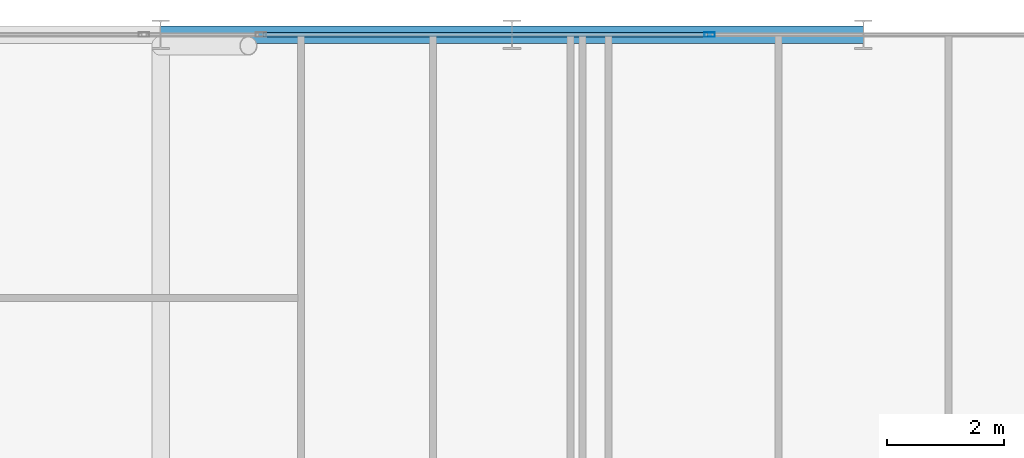
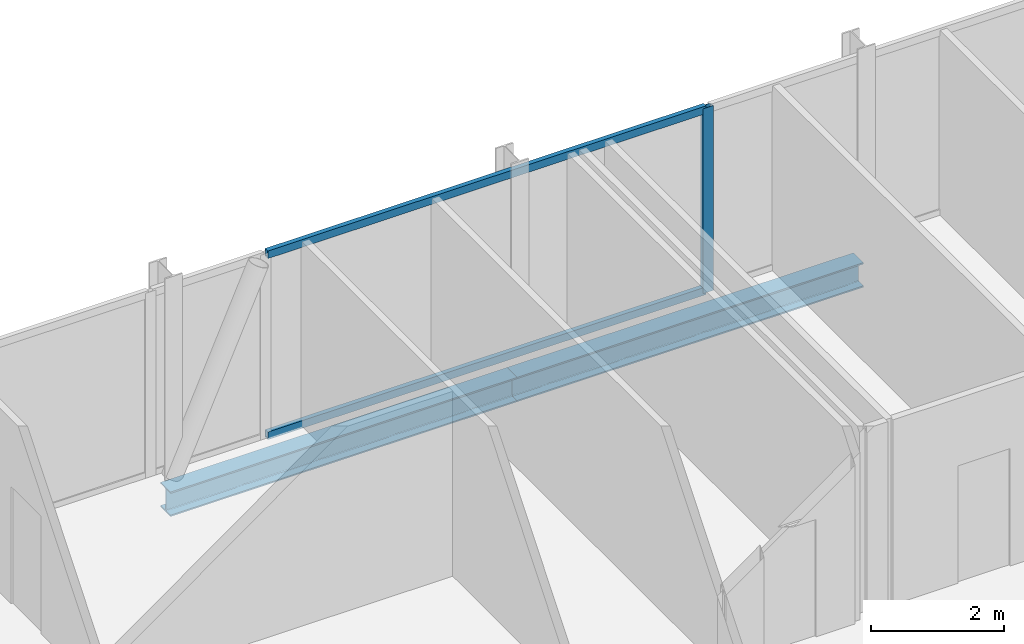
# One storey, part 20 of 31: 3 members, 2 beams, 1 element without a shape of its own.
"""IFC4 building model written with IfcOpenShell, lengths in metres."""

from ifc_helpers import new_model, si_unit, direction, frame, origin, origin_2d, place, context, subcontext, project, spatial, hollow_rectangle, i_section, extrude, material, layer, layer_set, material_profile, profile_set, type_object, element, aggregate, save


model = new_model("IFC4")

# Units and contexts
model_context = context("Model", 3, precision=1e-05, world=origin(), true_north=direction((0.0, 1.0)))
body_context = subcontext(model_context, "Body", "Model", "MODEL_VIEW")
ifc_project = project(units=[si_unit("LENGTHUNIT", "METRE"), si_unit("AREAUNIT", "SQUARE_METRE"), si_unit("VOLUMEUNIT", "CUBIC_METRE"), si_unit("PLANEANGLEUNIT", "RADIAN"), si_unit("MASSUNIT", "GRAM", prefix="KILO")], contexts=[model_context])

# Site, building, storey
site_placement = place(None, origin())
site = spatial("IfcSite", under=ifc_project, at=site_placement, CompositionType="ELEMENT")
building_placement = place(site_placement, origin())
building = spatial("IfcBuilding", under=site, at=building_placement, Name="Keshet Zoharim Tower", CompositionType="ELEMENT")
storey_placement = place(building_placement, frame((0.0, 0.0, 129.800048828125)))
storey = spatial("IfcBuildingStorey", under=building, at=storey_placement, Name="L31", CompositionType="ELEMENT", Elevation=129.800048828125)

# Beams
ifc_material_1 = material(Name="Steel S355", Category="steel")
ifc_material_profile_1 = material_profile(ifc_material_1, i_section(OverallWidth=0.300048828125, OverallDepth=0.449951171875, WebThickness=0.013916015625, FlangeThickness=0.02587890625, FilletRadius=0.027099609375, at=origin_2d()), Name="HEB450")
ifc_profile_set_1 = profile_set([ifc_material_profile_1], Name="Steel S355")
beam_type = type_object("IfcBeamType", Name="BM-WEB-HB450", PredefinedType="BEAM", material=ifc_profile_set_1)
for number, where, z_axis, x_axis, name in (
    (1, (33.0, 53.89990234375, -0.5400390625), (1.0, 0.0, 0.0), (0.0, 1.0, 0.0), "L31 Primary Girder X-022"),
    (2, (39.0, 53.89990234375, -0.5400390625), (1.0, 0.0, 0.0), (0.0, 1.0, 0.0), "L31 Primary Girder X-023"),
):
    element("IfcBeam", number, at=place(storey_placement, frame(where, z_axis=z_axis, x_axis=x_axis)), inside=storey, type_object=beam_type, Name=name, PredefinedType="BEAM", context=body_context, shape_type="SweptSolid", body=[
        extrude(i_section(OverallWidth=0.300048828125, OverallDepth=0.449951171875, WebThickness=0.013916015625, FlangeThickness=0.02587890625, FilletRadius=0.027099609375, at=origin_2d()), origin(), (0.0, 0.0, 1.0), 6.0),
    ])

# Curtain wall, members
ifc_material_2 = material(Name="Aluminium 6063-T6", Category="aluminium")
ifc_layer = layer(ifc_material_2, 0.159912109375)
ifc_layer_set = layer_set([ifc_layer], Name="Aluminium 6063-T6")
curtain_wall_type = type_object("IfcCurtainWallType", Name="CW-SYS-03", PredefinedType="NOTDEFINED", material=ifc_layer_set)
curtain_wall_placement = place(storey_placement, origin())
curtain_wall = element("IfcCurtainWall", 3, at=curtain_wall_placement, inside=storey, type_object=curtain_wall_type, Name="L31 Unitised Curtain Wall 13 Part 5", PredefinedType="NOTDEFINED")
ifc_material_profile_2 = material_profile(ifc_material_2, hollow_rectangle(XDim=0.080078125, YDim=0.179931640625, WallThickness=0.00439453125, at=origin_2d()), Name="MUL-80x180")
ifc_profile_set_2 = profile_set([ifc_material_profile_2], Name="Aluminium 6063-T6")
member_type_1 = type_object("IfcMemberType", Name="CWM-M18", PredefinedType="MULLION", material=ifc_profile_set_2)
member_1_placement = place(storey_placement, frame((42.3740234375, 53.89990234375, 0.0), z_axis=(0.0, 0.0, 1.0), x_axis=(0.0, 1.0, 0.0)))
member_1 = element("IfcMember", 4, at=member_1_placement, type_object=member_type_1, Name="CW-03 mullion 2", PredefinedType="MULLION", context=body_context, shape_type="SweptSolid", body=[
    extrude(hollow_rectangle(XDim=0.080078125, YDim=0.179931640625, WallThickness=0.00439453125, at=origin_2d()), origin(), (0.0, 0.0, 1.0), 3.385009765625),
])
ifc_material_profile_3 = material_profile(ifc_material_2, hollow_rectangle(XDim=0.080078125, YDim=0.139892578125, WallThickness=0.00390625, at=origin_2d()), Name="TRN-80x140")
ifc_profile_set_3 = profile_set([ifc_material_profile_3], Name="Aluminium 6063-T6")
member_type_2 = type_object("IfcMemberType", Name="CWT-T14", PredefinedType="USERDEFINED", material=ifc_profile_set_3)
member_2_placement = place(storey_placement, frame((34.748046875, 53.89990234375, 0.034912109375), z_axis=(1.0, 0.0, 0.0), x_axis=(0.0, 1.0, 0.0)))
member_2 = element("IfcMember", 5, at=member_2_placement, type_object=member_type_2, Name="CW-03 transom 1.1", ObjectType="TRANSOM", PredefinedType="USERDEFINED", context=body_context, shape_type="SweptSolid", body=[
    extrude(hollow_rectangle(XDim=0.080078125, YDim=0.139892578125, WallThickness=0.00390625, at=origin_2d()), origin(), (0.0, 0.0, 1.0), 7.591064453125),
])
member_3_placement = place(storey_placement, frame((34.748046875, 53.89990234375, 3.349853515625), z_axis=(1.0, 0.0, 0.0), x_axis=(0.0, 1.0, 0.0)))
member_3 = element("IfcMember", 6, at=member_3_placement, type_object=member_type_2, Name="CW-03 transom 1.2", ObjectType="TRANSOM", PredefinedType="USERDEFINED", context=body_context, shape_type="SweptSolid", body=[
    extrude(hollow_rectangle(XDim=0.080078125, YDim=0.139892578125, WallThickness=0.00390625, at=origin_2d()), origin(), (0.0, 0.0, 1.0), 7.591064453125),
])
aggregate(curtain_wall, [member_1, member_2, member_3])

save(model, "model.ifc")
